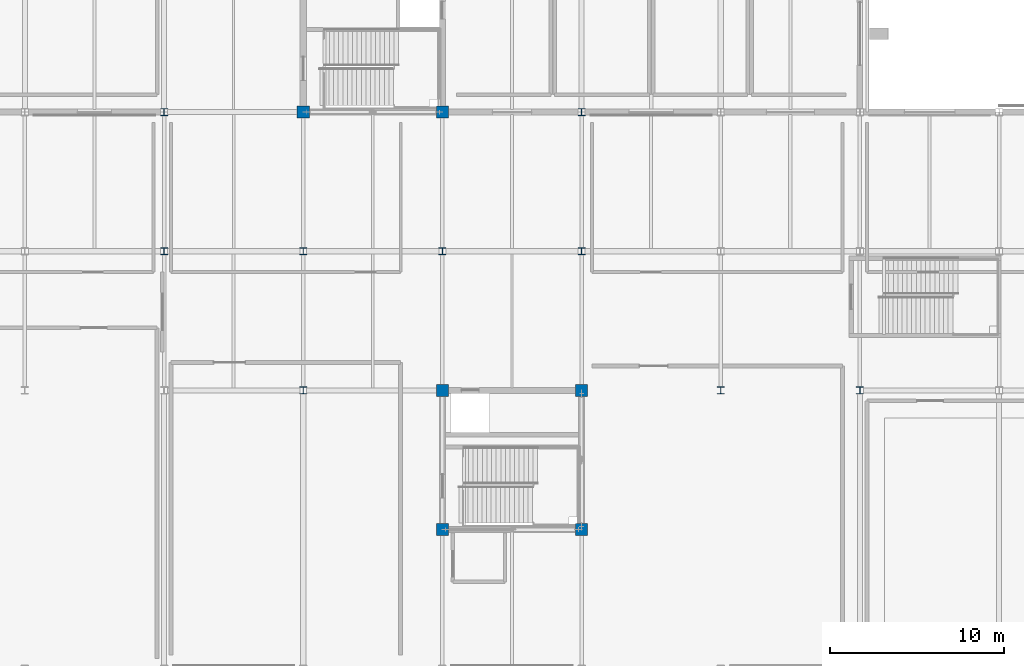
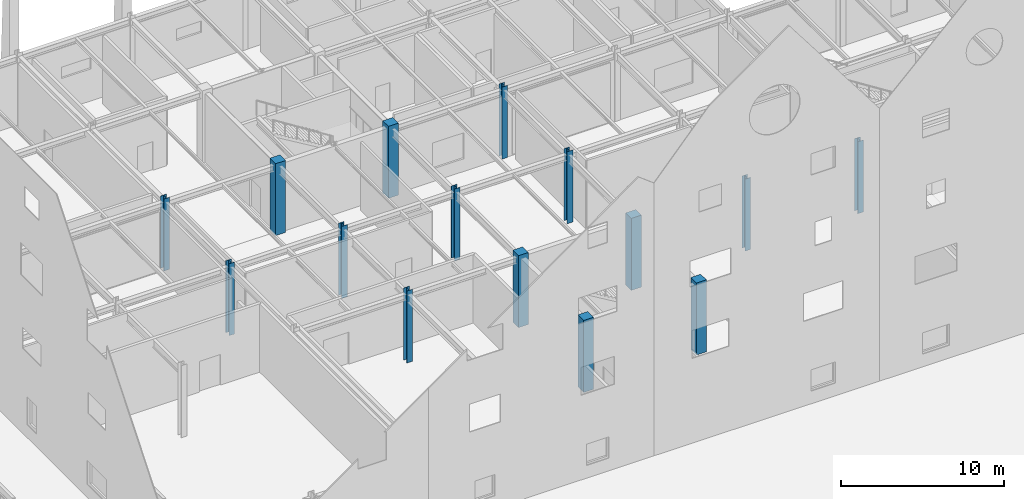
# One storey, part 14 of 119: 15 columns.
"""IFC4 building model written with IfcOpenShell, lengths in metres."""

from ifc_helpers import new_model, si_unit, direction, frame, origin, origin_2d, place, context, subcontext, project, spatial, rectangle, i_section, extrude, material, material_profile, profile_set, type_object, element, save


model = new_model("IFC4")

# Units and contexts
model_context = context("Model", 3, precision=1e-05, world=origin(), true_north=direction((0.0, 1.0)))
body_context = subcontext(model_context, "Body", "Model", "MODEL_VIEW")
ifc_project = project(units=[si_unit("LENGTHUNIT", "METRE"), si_unit("AREAUNIT", "SQUARE_METRE"), si_unit("VOLUMEUNIT", "CUBIC_METRE"), si_unit("PLANEANGLEUNIT", "RADIAN"), si_unit("MASSUNIT", "GRAM", prefix="KILO")], contexts=[model_context])

# Site, building, storey
site_placement = place(None, origin())
site = spatial("IfcSite", under=ifc_project, at=site_placement, CompositionType="ELEMENT")
building_placement = place(site_placement, origin())
building = spatial("IfcBuilding", under=site, at=building_placement, Name="Zhaolan Boulevard Law Courts", CompositionType="ELEMENT")
storey_placement = place(building_placement, origin())
storey = spatial("IfcBuildingStorey", under=building, at=storey_placement, Name="L00", CompositionType="ELEMENT", Elevation=0.0)

# Columns
ifc_material_1 = material(Name="Structural steel Q390B", Category="steel")
ifc_material_profile_1 = material_profile(ifc_material_1, i_section(OverallWidth=0.39990234375, OverallDepth=0.39990234375, WebThickness=0.012939453125, FlangeThickness=0.02099609375, FilletRadius=0.02197265625, at=origin_2d()), Name="HW400x400")
ifc_profile_set_1 = profile_set([ifc_material_profile_1], Name="Structural steel Q390B")
column_type_1 = type_object("IfcColumnType", Name="COL HW400", PredefinedType="COLUMN", material=ifc_profile_set_1)
for number, where, z_axis, x_axis, name in (
    (1, (68.0, 86.0, 0.0), (0.0, 0.0, 1.0), (1.0, 0.0, 0.0), "Column C-9M (L00)"),
    (2, (68.0, 94.0, 0.0), (0.0, 0.0, 1.0), (1.0, 0.0, 0.0), "Column C-9N (L00)"),
    (3, (76.0, 78.0, 0.0), (0.0, 0.0, 1.0), (1.0, 0.0, 0.0), "Column C-10L (L00)"),
    (4, (76.0, 86.0, 0.0), (0.0, 0.0, 1.0), (1.0, 0.0, 0.0), "Column C-10M (L00)"),
    (5, (84.0, 86.0, 0.0), (0.0, 0.0, 1.0), (1.0, 0.0, 0.0), "Column C-11M (L00)"),
    (6, (92.0, 86.0, 0.0), (0.0, 0.0, 1.0), (1.0, 0.0, 0.0), "Column C-12M (L00)"),
    (7, (92.0, 94.0, 0.0), (0.0, 0.0, 1.0), (1.0, 0.0, 0.0), "Column C-12N (L00)"),
    (8, (100.0, 78.0, 0.0), (0.0, 0.0, 1.0), (1.0, 0.0, 0.0), "Column C-13L (L00)"),
    (9, (108.0, 78.0, 0.0), (0.0, 0.0, 1.0), (1.0, 0.0, 0.0), "Column C-14L (L00)"),
):
    element("IfcColumn", number, at=place(storey_placement, frame(where, z_axis=z_axis, x_axis=x_axis)), inside=storey, type_object=column_type_1, Name=name, PredefinedType="COLUMN", context=body_context, shape_type="SweptSolid", body=[
        extrude(i_section(OverallWidth=0.39990234375, OverallDepth=0.39990234375, WebThickness=0.012939453125, FlangeThickness=0.02099609375, FilletRadius=0.02197265625, at=origin_2d()), origin(), (0.0, 0.0, 1.0), 5.39990234375),
    ])
ifc_material_2 = material(Name="Concrete C50", Category="concrete")
ifc_material_profile_2 = material_profile(ifc_material_2, rectangle(XDim=0.699951171875, YDim=0.699951171875, at=origin_2d()), Name="RC700x700")
ifc_profile_set_2 = profile_set([ifc_material_profile_2], Name="Concrete C50")
column_type_2 = type_object("IfcColumnType", Name="COL RC700", PredefinedType="COLUMN", material=ifc_profile_set_2)
for number, where, z_axis, x_axis, name in (
    (10, (76.0, 94.0, 0.0), (0.0, 0.0, 1.0), (1.0, 0.0, 0.0), "Column C-10N (L00)"),
    (11, (84.0, 70.0, 0.0), (0.0, 0.0, 1.0), (1.0, 0.0, 0.0), "Column C-11K (L00)"),
    (12, (84.0, 78.0, 0.0), (0.0, 0.0, 1.0), (1.0, 0.0, 0.0), "Column C-11L (L00)"),
    (13, (84.0, 94.0, 0.0), (0.0, 0.0, 1.0), (1.0, 0.0, 0.0), "Column C-11N (L00)"),
    (14, (92.0, 70.0, 0.0), (0.0, 0.0, 1.0), (1.0, 0.0, 0.0), "Column C-12K (L00)"),
    (15, (92.0, 78.0, 0.0), (0.0, 0.0, 1.0), (1.0, 0.0, 0.0), "Column C-12L (L00)"),
):
    element("IfcColumn", number, at=place(storey_placement, frame(where, z_axis=z_axis, x_axis=x_axis)), inside=storey, type_object=column_type_2, Name=name, PredefinedType="COLUMN", context=body_context, shape_type="SweptSolid", body=[
        extrude(rectangle(XDim=0.699951171875, YDim=0.699951171875, at=origin_2d()), origin(), (0.0, 0.0, 1.0), 5.39990234375),
    ])

save(model, "model.ifc")
